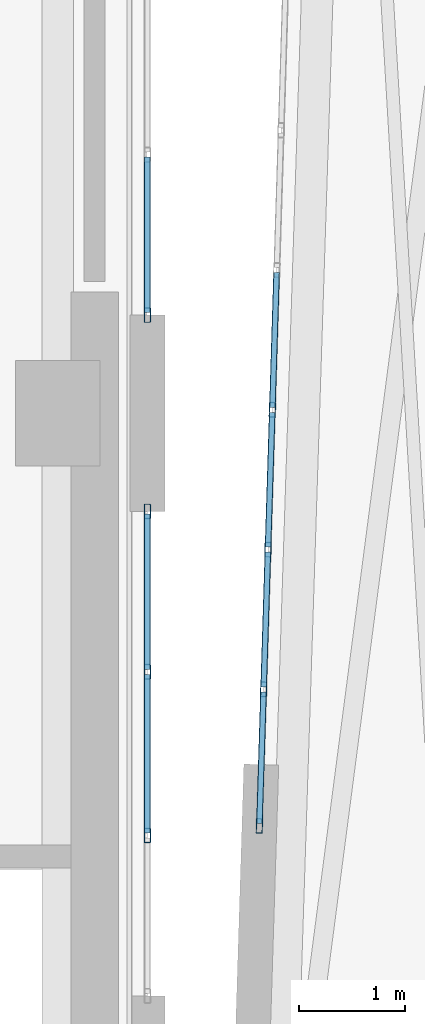
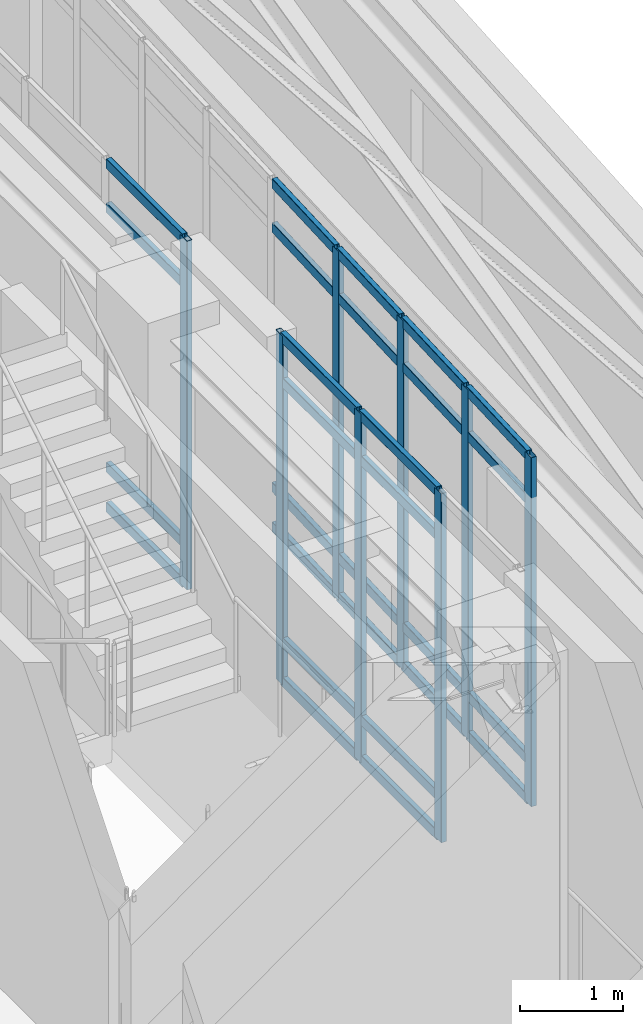
# One storey, part 7 of 19: 36 members, 3 elements without a shape of their own.
"""IFC4 building model written with IfcOpenShell, lengths in metres."""

from ifc_helpers import new_model, si_unit, direction, frame, origin, origin_2d, place, context, subcontext, project, spatial, hollow_rectangle, extrude, material, layer, layer_set, material_profile, profile_set, type_object, element, aggregate, save


model = new_model("IFC4")

# Units and contexts
model_context = context("Model", 3, precision=1e-05, world=origin(), true_north=direction((0.0, 1.0)))
body_context = subcontext(model_context, "Body", "Model", "MODEL_VIEW")
ifc_project = project(units=[si_unit("LENGTHUNIT", "METRE"), si_unit("AREAUNIT", "SQUARE_METRE"), si_unit("VOLUMEUNIT", "CUBIC_METRE"), si_unit("PLANEANGLEUNIT", "RADIAN"), si_unit("MASSUNIT", "GRAM", prefix="KILO")], contexts=[model_context])

# Site, building, storey
site_placement = place(None, origin())
site = spatial("IfcSite", under=ifc_project, at=site_placement, CompositionType="ELEMENT")
building_placement = place(site_placement, origin())
building = spatial("IfcBuilding", under=site, at=building_placement, Name="Ndelora Gate Hotel", CompositionType="ELEMENT")
storey_placement = place(building_placement, frame((0.0, 0.0, 299.199951171875)))
storey = spatial("IfcBuildingStorey", under=building, at=storey_placement, Name="L74", CompositionType="ELEMENT", Elevation=299.199951171875)

# Curtain wall, members
ifc_material_1 = material(Name="Bronze Anodised Unitised Aluminium and Low-E Glass", Category="aluminium")
ifc_layer = layer(ifc_material_1, 0.199951171875)
ifc_layer_set = layer_set([ifc_layer], Name="Bronze Anodised Unitised Aluminium and Low-E Glass")
curtain_wall_type = type_object("IfcCurtainWallType", Name="CW-SYS-8", PredefinedType="NOTDEFINED", material=ifc_layer_set)
curtain_wall_1_placement = place(storey_placement, origin())
curtain_wall_1 = element("IfcCurtainWall", 1, at=curtain_wall_1_placement, inside=storey, type_object=curtain_wall_type, Name="L74 Split-Crown West Cleft Lantern Curtain Wall CW8-1", PredefinedType="NOTDEFINED")
ifc_material_2 = material(Name="Bronze Anodised Aluminium 6063-T6", Category="aluminium")
ifc_material_profile_1 = material_profile(ifc_material_2, hollow_rectangle(XDim=0.06005859375, YDim=0.139892578125, WallThickness=0.00390625, InnerFilletRadius=0.00390625, OuterFilletRadius=0.008056640625, at=origin_2d()), Name="ALU 140x60x4")
ifc_profile_set_1 = profile_set([ifc_material_profile_1], Name="Bronze Anodised Aluminium 6063-T6")
member_type_1 = type_object("IfcMemberType", Name="MB-CW-MUL140", PredefinedType="MULLION", material=ifc_profile_set_1)
member_1_placement = place(storey_placement, frame((8.85009765625, -4.0, -0.00390625), z_axis=(0.0, 0.0, 1.0), x_axis=(-1.0, 0.0, 0.0)))
member_1 = element("IfcMember", 2, at=member_1_placement, type_object=member_type_1, Name="CW8 mullion 2", PredefinedType="MULLION", context=body_context, shape_type="SweptSolid", body=[
    extrude(hollow_rectangle(XDim=0.06005859375, YDim=0.139892578125, WallThickness=0.00390625, InnerFilletRadius=0.00390625, OuterFilletRadius=0.008056640625, at=origin_2d()), origin(), (0.0, 0.0, 1.0), 4.1279296875),
])
member_2_placement = place(storey_placement, frame((8.85009765625, -2.449951171875, -0.00390625), z_axis=(0.0, 0.0, 1.0), x_axis=(-1.0, 0.0, 0.0)))
member_2 = element("IfcMember", 3, at=member_2_placement, type_object=member_type_1, Name="CW8 mullion 3", PredefinedType="MULLION", context=body_context, shape_type="SweptSolid", body=[
    extrude(hollow_rectangle(XDim=0.06005859375, YDim=0.139892578125, WallThickness=0.00390625, InnerFilletRadius=0.00390625, OuterFilletRadius=0.008056640625, at=origin_2d()), origin(), (0.0, 0.0, 1.0), 4.1279296875),
])
member_3_placement = place(storey_placement, frame((8.85009765625, -0.929931640625, -0.00390625), z_axis=(0.0, 0.0, 1.0), x_axis=(-1.0, 0.0, 0.0)))
member_3 = element("IfcMember", 4, at=member_3_placement, type_object=member_type_1, Name="CW8 mullion 4", PredefinedType="MULLION", context=body_context, shape_type="SweptSolid", body=[
    extrude(hollow_rectangle(XDim=0.06005859375, YDim=0.139892578125, WallThickness=0.00390625, InnerFilletRadius=0.00390625, OuterFilletRadius=0.008056640625, at=origin_2d()), origin(), (0.0, 0.0, 1.0), 4.1279296875),
])

# Curtain wall, member
curtain_wall_2_placement = place(storey_placement, origin())
curtain_wall_2 = element("IfcCurtainWall", 5, at=curtain_wall_2_placement, inside=storey, type_object=curtain_wall_type, Name="L74 Split-Crown West Cleft Lantern Curtain Wall CW8-2", PredefinedType="NOTDEFINED")
member_4_placement = place(storey_placement, frame((8.85009765625, 0.929931640625, -0.00390625), z_axis=(0.0, 0.0, 1.0), x_axis=(-1.0, 0.0, 0.0)))
member_4 = element("IfcMember", 6, at=member_4_placement, type_object=member_type_1, Name="CW8 mullion 1", PredefinedType="MULLION", context=body_context, shape_type="SweptSolid", body=[
    extrude(hollow_rectangle(XDim=0.06005859375, YDim=0.139892578125, WallThickness=0.00390625, InnerFilletRadius=0.00390625, OuterFilletRadius=0.008056640625, at=origin_2d()), origin(), (0.0, 0.0, 1.0), 4.1279296875),
])

# Curtain wall, members
curtain_wall_3_placement = place(storey_placement, origin())
curtain_wall_3 = element("IfcCurtainWall", 7, at=curtain_wall_3_placement, inside=storey, type_object=curtain_wall_type, Name="L74 Split-Crown East Cleft Lantern Curtain Wall CW8", PredefinedType="NOTDEFINED")
member_5_placement = place(storey_placement, frame((10.03369140625, 0.0322265625, -0.00390625), z_axis=(0.0, 0.0, 1.0), x_axis=(0.999515302198, -0.031131345484, 0.0)))
member_5 = element("IfcMember", 8, at=member_5_placement, type_object=member_type_1, Name="CW8 mullion 6", PredefinedType="MULLION", context=body_context, shape_type="SweptSolid", body=[
    extrude(hollow_rectangle(XDim=0.06005859375, YDim=0.139892578125, WallThickness=0.00390625, InnerFilletRadius=0.00390625, OuterFilletRadius=0.008056640625, at=origin_2d()), origin(), (0.0, 0.0, 1.0), 4.1279296875),
])
member_6_placement = place(storey_placement, frame((9.992431640625, -1.291748046875, -0.00390625), z_axis=(0.0, 0.0, 1.0), x_axis=(0.999515302198, -0.031131345484, 0.0)))
member_6 = element("IfcMember", 9, at=member_6_placement, type_object=member_type_1, Name="CW8 mullion 7", PredefinedType="MULLION", context=body_context, shape_type="SweptSolid", body=[
    extrude(hollow_rectangle(XDim=0.06005859375, YDim=0.139892578125, WallThickness=0.00390625, InnerFilletRadius=0.00390625, OuterFilletRadius=0.008056640625, at=origin_2d()), origin(), (0.0, 0.0, 1.0), 4.1279296875),
])
member_7_placement = place(storey_placement, frame((9.951171875, -2.61572265625, -0.00390625), z_axis=(0.0, 0.0, 1.0), x_axis=(0.999515302198, -0.031131345484, 0.0)))
member_7 = element("IfcMember", 10, at=member_7_placement, type_object=member_type_1, Name="CW8 mullion 8", PredefinedType="MULLION", context=body_context, shape_type="SweptSolid", body=[
    extrude(hollow_rectangle(XDim=0.06005859375, YDim=0.139892578125, WallThickness=0.00390625, InnerFilletRadius=0.00390625, OuterFilletRadius=0.008056640625, at=origin_2d()), origin(), (0.0, 0.0, 1.0), 4.1279296875),
])
member_8_placement = place(storey_placement, frame((9.910888671875, -3.90966796875, -0.00390625), z_axis=(0.0, 0.0, 1.0), x_axis=(0.999515302198, -0.031131345484, 0.0)))
member_8 = element("IfcMember", 11, at=member_8_placement, type_object=member_type_1, Name="CW8 mullion 9", PredefinedType="MULLION", context=body_context, shape_type="SweptSolid", body=[
    extrude(hollow_rectangle(XDim=0.06005859375, YDim=0.139892578125, WallThickness=0.00390625, InnerFilletRadius=0.00390625, OuterFilletRadius=0.008056640625, at=origin_2d()), origin(), (0.0, 0.0, 1.0), 4.1279296875),
])

# Member
ifc_material_profile_2 = material_profile(ifc_material_2, hollow_rectangle(XDim=0.06005859375, YDim=0.1201171875, WallThickness=0.00390625, InnerFilletRadius=0.00390625, OuterFilletRadius=0.008056640625, at=origin_2d()), Name="ALU 120x60x4")
ifc_profile_set_2 = profile_set([ifc_material_profile_2], Name="Bronze Anodised Aluminium 6063-T6")
member_type_2 = type_object("IfcMemberType", Name="MB-CW-TRN120", PredefinedType="USERDEFINED", material=ifc_profile_set_2)
member_9_placement = place(storey_placement, frame((8.85009765625, -3.97607421875, 0.030029296875), z_axis=(0.0, 1.0, 0.0), x_axis=(-1.0, 0.0, 0.0)))
member_9 = element("IfcMember", 12, at=member_9_placement, type_object=member_type_2, Name="CW8 transom 2.1", ObjectType="TRANSOM", PredefinedType="USERDEFINED", context=body_context, shape_type="SweptSolid", body=[
    extrude(hollow_rectangle(XDim=0.06005859375, YDim=0.1201171875, WallThickness=0.00390625, InnerFilletRadius=0.00390625, OuterFilletRadius=0.008056640625, at=origin_2d()), origin(), (0.0, 0.0, 1.0), 1.501953125),
])

member_10_placement = place(storey_placement, frame((8.85009765625, -3.97607421875, 0.5), z_axis=(0.0, 1.0, 0.0), x_axis=(-1.0, 0.0, 0.0)))
member_10 = element("IfcMember", 13, at=member_10_placement, type_object=member_type_2, Name="CW8 transom 2.2", ObjectType="TRANSOM", PredefinedType="USERDEFINED", context=body_context, shape_type="SweptSolid", body=[
    extrude(hollow_rectangle(XDim=0.06005859375, YDim=0.1201171875, WallThickness=0.00390625, InnerFilletRadius=0.00390625, OuterFilletRadius=0.008056640625, at=origin_2d()), origin(), (0.0, 0.0, 1.0), 1.501953125),
])

member_11_placement = place(storey_placement, frame((8.85009765625, -3.97607421875, 3.570068359375), z_axis=(0.0, 1.0, 0.0), x_axis=(-1.0, 0.0, 0.0)))
member_11 = element("IfcMember", 14, at=member_11_placement, type_object=member_type_2, Name="CW8 transom 2.3", ObjectType="TRANSOM", PredefinedType="USERDEFINED", context=body_context, shape_type="SweptSolid", body=[
    extrude(hollow_rectangle(XDim=0.06005859375, YDim=0.1201171875, WallThickness=0.00390625, InnerFilletRadius=0.00390625, OuterFilletRadius=0.008056640625, at=origin_2d()), origin(), (0.0, 0.0, 1.0), 1.501953125),
])

member_12_placement = place(storey_placement, frame((8.85009765625, -3.97607421875, 4.090087890625), z_axis=(0.0, 1.0, 0.0), x_axis=(-1.0, 0.0, 0.0)))
member_12 = element("IfcMember", 15, at=member_12_placement, type_object=member_type_2, Name="CW8 transom 2.4", ObjectType="TRANSOM", PredefinedType="USERDEFINED", context=body_context, shape_type="SweptSolid", body=[
    extrude(hollow_rectangle(XDim=0.06005859375, YDim=0.1201171875, WallThickness=0.00390625, InnerFilletRadius=0.00390625, OuterFilletRadius=0.008056640625, at=origin_2d()), origin(), (0.0, 0.0, 1.0), 1.501953125),
])

member_13_placement = place(storey_placement, frame((8.85009765625, -2.426025390625, 0.030029296875), z_axis=(0.0, 1.0, 0.0), x_axis=(-1.0, 0.0, 0.0)))
member_13 = element("IfcMember", 16, at=member_13_placement, type_object=member_type_2, Name="CW8 transom 3.1", ObjectType="TRANSOM", PredefinedType="USERDEFINED", context=body_context, shape_type="SweptSolid", body=[
    extrude(hollow_rectangle(XDim=0.06005859375, YDim=0.1201171875, WallThickness=0.00390625, InnerFilletRadius=0.00390625, OuterFilletRadius=0.008056640625, at=origin_2d()), origin(), (0.0, 0.0, 1.0), 1.471923828125),
])

member_14_placement = place(storey_placement, frame((8.85009765625, -2.426025390625, 0.5), z_axis=(0.0, 1.0, 0.0), x_axis=(-1.0, 0.0, 0.0)))
member_14 = element("IfcMember", 17, at=member_14_placement, type_object=member_type_2, Name="CW8 transom 3.2", ObjectType="TRANSOM", PredefinedType="USERDEFINED", context=body_context, shape_type="SweptSolid", body=[
    extrude(hollow_rectangle(XDim=0.06005859375, YDim=0.1201171875, WallThickness=0.00390625, InnerFilletRadius=0.00390625, OuterFilletRadius=0.008056640625, at=origin_2d()), origin(), (0.0, 0.0, 1.0), 1.471923828125),
])

member_15_placement = place(storey_placement, frame((8.85009765625, -2.426025390625, 3.570068359375), z_axis=(0.0, 1.0, 0.0), x_axis=(-1.0, 0.0, 0.0)))
member_15 = element("IfcMember", 18, at=member_15_placement, type_object=member_type_2, Name="CW8 transom 3.3", ObjectType="TRANSOM", PredefinedType="USERDEFINED", context=body_context, shape_type="SweptSolid", body=[
    extrude(hollow_rectangle(XDim=0.06005859375, YDim=0.1201171875, WallThickness=0.00390625, InnerFilletRadius=0.00390625, OuterFilletRadius=0.008056640625, at=origin_2d()), origin(), (0.0, 0.0, 1.0), 1.471923828125),
])

member_16_placement = place(storey_placement, frame((8.85009765625, -2.426025390625, 4.090087890625), z_axis=(0.0, 1.0, 0.0), x_axis=(-1.0, 0.0, 0.0)))
member_16 = element("IfcMember", 19, at=member_16_placement, type_object=member_type_2, Name="CW8 transom 3.4", ObjectType="TRANSOM", PredefinedType="USERDEFINED", context=body_context, shape_type="SweptSolid", body=[
    extrude(hollow_rectangle(XDim=0.06005859375, YDim=0.1201171875, WallThickness=0.00390625, InnerFilletRadius=0.00390625, OuterFilletRadius=0.008056640625, at=origin_2d()), origin(), (0.0, 0.0, 1.0), 1.471923828125),
])

aggregate(curtain_wall_1, [member_1, member_2, member_3, member_9, member_10, member_11, member_12, member_13, member_14, member_15, member_16])

member_17_placement = place(storey_placement, frame((8.85009765625, 0.9541015625, 0.030029296875), z_axis=(0.0, 1.0, 0.0), x_axis=(-1.0, 0.0, 0.0)))
member_17 = element("IfcMember", 20, at=member_17_placement, type_object=member_type_2, Name="CW8 transom 1.1", ObjectType="TRANSOM", PredefinedType="USERDEFINED", context=body_context, shape_type="SweptSolid", body=[
    extrude(hollow_rectangle(XDim=0.06005859375, YDim=0.1201171875, WallThickness=0.00390625, InnerFilletRadius=0.00390625, OuterFilletRadius=0.008056640625, at=origin_2d()), origin(), (0.0, 0.0, 1.0), 1.471923828125),
])

member_18_placement = place(storey_placement, frame((8.85009765625, 0.9541015625, 0.5), z_axis=(0.0, 1.0, 0.0), x_axis=(-1.0, 0.0, 0.0)))
member_18 = element("IfcMember", 21, at=member_18_placement, type_object=member_type_2, Name="CW8 transom 1.2", ObjectType="TRANSOM", PredefinedType="USERDEFINED", context=body_context, shape_type="SweptSolid", body=[
    extrude(hollow_rectangle(XDim=0.06005859375, YDim=0.1201171875, WallThickness=0.00390625, InnerFilletRadius=0.00390625, OuterFilletRadius=0.008056640625, at=origin_2d()), origin(), (0.0, 0.0, 1.0), 1.471923828125),
])

member_19_placement = place(storey_placement, frame((8.85009765625, 0.9541015625, 3.570068359375), z_axis=(0.0, 1.0, 0.0), x_axis=(-1.0, 0.0, 0.0)))
member_19 = element("IfcMember", 22, at=member_19_placement, type_object=member_type_2, Name="CW8 transom 1.3", ObjectType="TRANSOM", PredefinedType="USERDEFINED", context=body_context, shape_type="SweptSolid", body=[
    extrude(hollow_rectangle(XDim=0.06005859375, YDim=0.1201171875, WallThickness=0.00390625, InnerFilletRadius=0.00390625, OuterFilletRadius=0.008056640625, at=origin_2d()), origin(), (0.0, 0.0, 1.0), 1.471923828125),
])

member_20_placement = place(storey_placement, frame((8.85009765625, 0.9541015625, 4.090087890625), z_axis=(0.0, 1.0, 0.0), x_axis=(-1.0, 0.0, 0.0)))
member_20 = element("IfcMember", 23, at=member_20_placement, type_object=member_type_2, Name="CW8 transom 1.4", ObjectType="TRANSOM", PredefinedType="USERDEFINED", context=body_context, shape_type="SweptSolid", body=[
    extrude(hollow_rectangle(XDim=0.06005859375, YDim=0.1201171875, WallThickness=0.00390625, InnerFilletRadius=0.00390625, OuterFilletRadius=0.008056640625, at=origin_2d()), origin(), (0.0, 0.0, 1.0), 1.471923828125),
])

aggregate(curtain_wall_2, [member_4, member_17, member_18, member_19, member_20])

member_21_placement = place(storey_placement, frame((10.07421875, 1.332275390625, 0.030029296875), z_axis=(-0.031169084092, -0.999514126062, 0.0), x_axis=(0.999514126062, -0.031169084092, 0.0)))
member_21 = element("IfcMember", 24, at=member_21_placement, type_object=member_type_2, Name="CW8 transom 5.1", ObjectType="TRANSOM", PredefinedType="USERDEFINED", context=body_context, shape_type="SweptSolid", body=[
    extrude(hollow_rectangle(XDim=0.06005859375, YDim=0.1201171875, WallThickness=0.00390625, InnerFilletRadius=0.00390625, OuterFilletRadius=0.008056640625, at=origin_2d()), origin(), (0.0, 0.0, 1.0), 1.27685546875),
])

member_22_placement = place(storey_placement, frame((10.07421875, 1.332275390625, 0.5), z_axis=(-0.031169084092, -0.999514126062, 0.0), x_axis=(0.999514126062, -0.031169084092, 0.0)))
member_22 = element("IfcMember", 25, at=member_22_placement, type_object=member_type_2, Name="CW8 transom 5.2", ObjectType="TRANSOM", PredefinedType="USERDEFINED", context=body_context, shape_type="SweptSolid", body=[
    extrude(hollow_rectangle(XDim=0.06005859375, YDim=0.1201171875, WallThickness=0.00390625, InnerFilletRadius=0.00390625, OuterFilletRadius=0.008056640625, at=origin_2d()), origin(), (0.0, 0.0, 1.0), 1.27685546875),
])

member_23_placement = place(storey_placement, frame((10.07421875, 1.332275390625, 3.570068359375), z_axis=(-0.031169084092, -0.999514126062, 0.0), x_axis=(0.999514126062, -0.031169084092, 0.0)))
member_23 = element("IfcMember", 26, at=member_23_placement, type_object=member_type_2, Name="CW8 transom 5.3", ObjectType="TRANSOM", PredefinedType="USERDEFINED", context=body_context, shape_type="SweptSolid", body=[
    extrude(hollow_rectangle(XDim=0.06005859375, YDim=0.1201171875, WallThickness=0.00390625, InnerFilletRadius=0.00390625, OuterFilletRadius=0.008056640625, at=origin_2d()), origin(), (0.0, 0.0, 1.0), 1.27685546875),
])

member_24_placement = place(storey_placement, frame((10.07421875, 1.332275390625, 4.090087890625), z_axis=(-0.031169084092, -0.999514126062, 0.0), x_axis=(0.999514126062, -0.031169084092, 0.0)))
member_24 = element("IfcMember", 27, at=member_24_placement, type_object=member_type_2, Name="CW8 transom 5.4", ObjectType="TRANSOM", PredefinedType="USERDEFINED", context=body_context, shape_type="SweptSolid", body=[
    extrude(hollow_rectangle(XDim=0.06005859375, YDim=0.1201171875, WallThickness=0.00390625, InnerFilletRadius=0.00390625, OuterFilletRadius=0.008056640625, at=origin_2d()), origin(), (0.0, 0.0, 1.0), 1.27685546875),
])

member_25_placement = place(storey_placement, frame((10.032958984375, 0.00830078125, 0.030029296875), z_axis=(-0.031169084092, -0.999514126062, 0.0), x_axis=(0.999514126062, -0.031169084092, 0.0)))
member_25 = element("IfcMember", 28, at=member_25_placement, type_object=member_type_2, Name="CW8 transom 6.1", ObjectType="TRANSOM", PredefinedType="USERDEFINED", context=body_context, shape_type="SweptSolid", body=[
    extrude(hollow_rectangle(XDim=0.06005859375, YDim=0.1201171875, WallThickness=0.00390625, InnerFilletRadius=0.00390625, OuterFilletRadius=0.008056640625, at=origin_2d()), origin(), (0.0, 0.0, 1.0), 1.27685546875),
])

member_26_placement = place(storey_placement, frame((10.032958984375, 0.00830078125, 0.5), z_axis=(-0.031169084092, -0.999514126062, 0.0), x_axis=(0.999514126062, -0.031169084092, 0.0)))
member_26 = element("IfcMember", 29, at=member_26_placement, type_object=member_type_2, Name="CW8 transom 6.2", ObjectType="TRANSOM", PredefinedType="USERDEFINED", context=body_context, shape_type="SweptSolid", body=[
    extrude(hollow_rectangle(XDim=0.06005859375, YDim=0.1201171875, WallThickness=0.00390625, InnerFilletRadius=0.00390625, OuterFilletRadius=0.008056640625, at=origin_2d()), origin(), (0.0, 0.0, 1.0), 1.27685546875),
])

member_27_placement = place(storey_placement, frame((10.032958984375, 0.00830078125, 3.570068359375), z_axis=(-0.031169084092, -0.999514126062, 0.0), x_axis=(0.999514126062, -0.031169084092, 0.0)))
member_27 = element("IfcMember", 30, at=member_27_placement, type_object=member_type_2, Name="CW8 transom 6.3", ObjectType="TRANSOM", PredefinedType="USERDEFINED", context=body_context, shape_type="SweptSolid", body=[
    extrude(hollow_rectangle(XDim=0.06005859375, YDim=0.1201171875, WallThickness=0.00390625, InnerFilletRadius=0.00390625, OuterFilletRadius=0.008056640625, at=origin_2d()), origin(), (0.0, 0.0, 1.0), 1.27685546875),
])

member_28_placement = place(storey_placement, frame((10.032958984375, 0.00830078125, 4.090087890625), z_axis=(-0.031169084092, -0.999514126062, 0.0), x_axis=(0.999514126062, -0.031169084092, 0.0)))
member_28 = element("IfcMember", 31, at=member_28_placement, type_object=member_type_2, Name="CW8 transom 6.4", ObjectType="TRANSOM", PredefinedType="USERDEFINED", context=body_context, shape_type="SweptSolid", body=[
    extrude(hollow_rectangle(XDim=0.06005859375, YDim=0.1201171875, WallThickness=0.00390625, InnerFilletRadius=0.00390625, OuterFilletRadius=0.008056640625, at=origin_2d()), origin(), (0.0, 0.0, 1.0), 1.27685546875),
])

member_29_placement = place(storey_placement, frame((9.99169921875, -1.315673828125, 0.030029296875), z_axis=(-0.031169084092, -0.999514126062, 0.0), x_axis=(0.999514126062, -0.031169084092, 0.0)))
member_29 = element("IfcMember", 32, at=member_29_placement, type_object=member_type_2, Name="CW8 transom 7.1", ObjectType="TRANSOM", PredefinedType="USERDEFINED", context=body_context, shape_type="SweptSolid", body=[
    extrude(hollow_rectangle(XDim=0.06005859375, YDim=0.1201171875, WallThickness=0.00390625, InnerFilletRadius=0.00390625, OuterFilletRadius=0.008056640625, at=origin_2d()), origin(), (0.0, 0.0, 1.0), 1.27685546875),
])

member_30_placement = place(storey_placement, frame((9.99169921875, -1.315673828125, 0.5), z_axis=(-0.031169084092, -0.999514126062, 0.0), x_axis=(0.999514126062, -0.031169084092, 0.0)))
member_30 = element("IfcMember", 33, at=member_30_placement, type_object=member_type_2, Name="CW8 transom 7.2", ObjectType="TRANSOM", PredefinedType="USERDEFINED", context=body_context, shape_type="SweptSolid", body=[
    extrude(hollow_rectangle(XDim=0.06005859375, YDim=0.1201171875, WallThickness=0.00390625, InnerFilletRadius=0.00390625, OuterFilletRadius=0.008056640625, at=origin_2d()), origin(), (0.0, 0.0, 1.0), 1.27685546875),
])

member_31_placement = place(storey_placement, frame((9.99169921875, -1.315673828125, 3.570068359375), z_axis=(-0.031169084092, -0.999514126062, 0.0), x_axis=(0.999514126062, -0.031169084092, 0.0)))
member_31 = element("IfcMember", 34, at=member_31_placement, type_object=member_type_2, Name="CW8 transom 7.3", ObjectType="TRANSOM", PredefinedType="USERDEFINED", context=body_context, shape_type="SweptSolid", body=[
    extrude(hollow_rectangle(XDim=0.06005859375, YDim=0.1201171875, WallThickness=0.00390625, InnerFilletRadius=0.00390625, OuterFilletRadius=0.008056640625, at=origin_2d()), origin(), (0.0, 0.0, 1.0), 1.27685546875),
])

member_32_placement = place(storey_placement, frame((9.99169921875, -1.315673828125, 4.090087890625), z_axis=(-0.031169084092, -0.999514126062, 0.0), x_axis=(0.999514126062, -0.031169084092, 0.0)))
member_32 = element("IfcMember", 35, at=member_32_placement, type_object=member_type_2, Name="CW8 transom 7.4", ObjectType="TRANSOM", PredefinedType="USERDEFINED", context=body_context, shape_type="SweptSolid", body=[
    extrude(hollow_rectangle(XDim=0.06005859375, YDim=0.1201171875, WallThickness=0.00390625, InnerFilletRadius=0.00390625, OuterFilletRadius=0.008056640625, at=origin_2d()), origin(), (0.0, 0.0, 1.0), 1.27685546875),
])

member_33_placement = place(storey_placement, frame((9.950439453125, -2.6396484375, 0.030029296875), z_axis=(-0.031136932872, -0.999515128155, 0.0), x_axis=(0.999515128155, -0.031136932872, 0.0)))
member_33 = element("IfcMember", 36, at=member_33_placement, type_object=member_type_2, Name="CW8 transom 8.1", ObjectType="TRANSOM", PredefinedType="USERDEFINED", context=body_context, shape_type="SweptSolid", body=[
    extrude(hollow_rectangle(XDim=0.06005859375, YDim=0.1201171875, WallThickness=0.00390625, InnerFilletRadius=0.00390625, OuterFilletRadius=0.008056640625, at=origin_2d()), origin(), (0.0, 0.0, 1.0), 1.24658203125),
])

member_34_placement = place(storey_placement, frame((9.950439453125, -2.6396484375, 0.5), z_axis=(-0.031136932872, -0.999515128155, 0.0), x_axis=(0.999515128155, -0.031136932872, 0.0)))
member_34 = element("IfcMember", 37, at=member_34_placement, type_object=member_type_2, Name="CW8 transom 8.2", ObjectType="TRANSOM", PredefinedType="USERDEFINED", context=body_context, shape_type="SweptSolid", body=[
    extrude(hollow_rectangle(XDim=0.06005859375, YDim=0.1201171875, WallThickness=0.00390625, InnerFilletRadius=0.00390625, OuterFilletRadius=0.008056640625, at=origin_2d()), origin(), (0.0, 0.0, 1.0), 1.24658203125),
])

member_35_placement = place(storey_placement, frame((9.950439453125, -2.6396484375, 3.570068359375), z_axis=(-0.031136932872, -0.999515128155, 0.0), x_axis=(0.999515128155, -0.031136932872, 0.0)))
member_35 = element("IfcMember", 38, at=member_35_placement, type_object=member_type_2, Name="CW8 transom 8.3", ObjectType="TRANSOM", PredefinedType="USERDEFINED", context=body_context, shape_type="SweptSolid", body=[
    extrude(hollow_rectangle(XDim=0.06005859375, YDim=0.1201171875, WallThickness=0.00390625, InnerFilletRadius=0.00390625, OuterFilletRadius=0.008056640625, at=origin_2d()), origin(), (0.0, 0.0, 1.0), 1.24658203125),
])

member_36_placement = place(storey_placement, frame((9.950439453125, -2.6396484375, 4.090087890625), z_axis=(-0.031136932872, -0.999515128155, 0.0), x_axis=(0.999515128155, -0.031136932872, 0.0)))
member_36 = element("IfcMember", 39, at=member_36_placement, type_object=member_type_2, Name="CW8 transom 8.4", ObjectType="TRANSOM", PredefinedType="USERDEFINED", context=body_context, shape_type="SweptSolid", body=[
    extrude(hollow_rectangle(XDim=0.06005859375, YDim=0.1201171875, WallThickness=0.00390625, InnerFilletRadius=0.00390625, OuterFilletRadius=0.008056640625, at=origin_2d()), origin(), (0.0, 0.0, 1.0), 1.24658203125),
])

aggregate(curtain_wall_3, [member_5, member_6, member_7, member_8, member_21, member_22, member_23, member_24, member_25, member_26, member_27, member_28, member_29, member_30, member_31, member_32, member_33, member_34, member_35, member_36])

save(model, "model.ifc")
